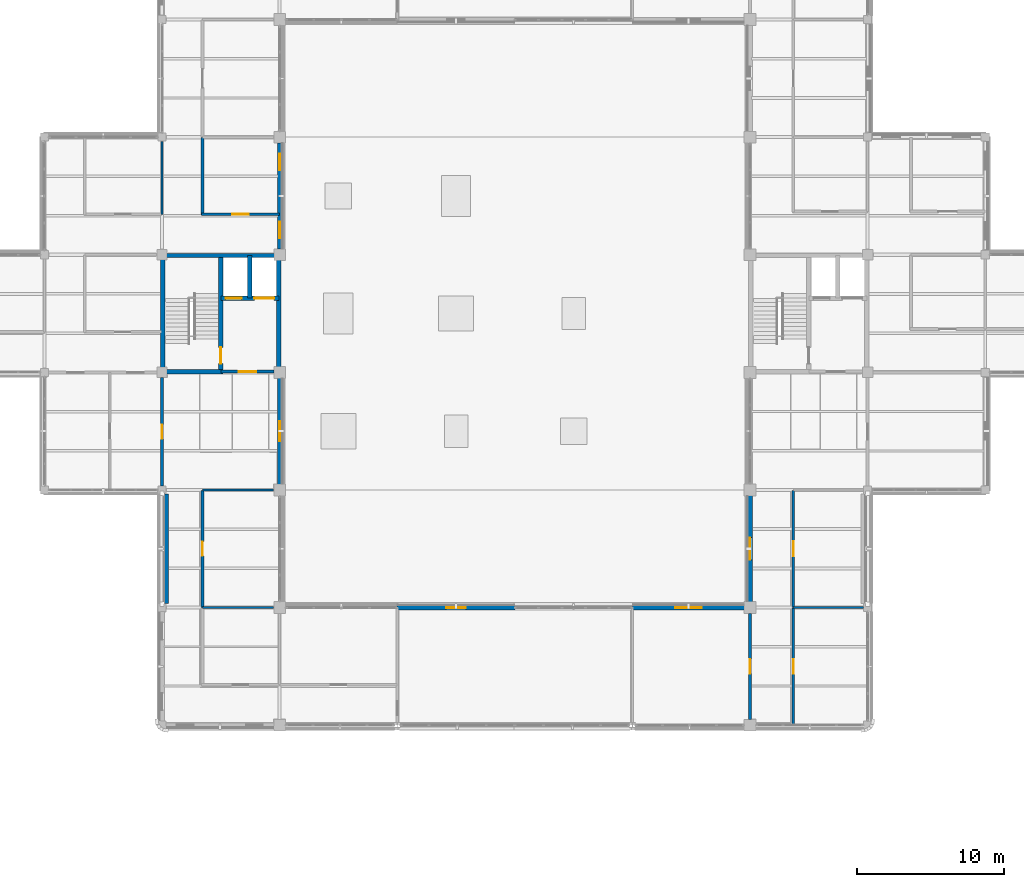
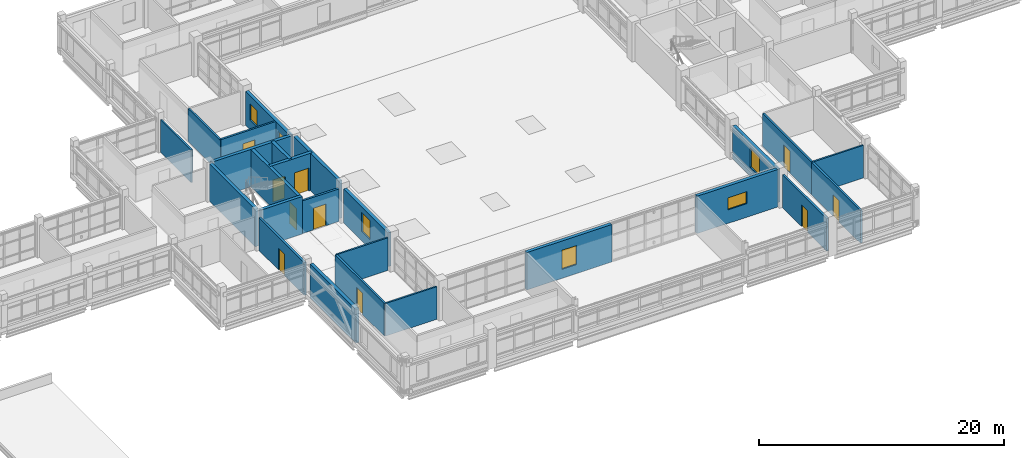
# One storey, part 76 of 107: 25 walls, 10 doors, 6 windows, 16 openings.
"""IFC4 building model written with IfcOpenShell, lengths in metres."""

from ifc_helpers import new_model, si_unit, derived_unit, direction, frame, frame_2d, origin, place, context, subcontext, project, spatial, rectangle, extrude, material, layer, layer_set, type_object, element, fill, save


model = new_model("IFC4")

# Units and contexts
model_context = context("Model", 3, precision=1e-05, world=origin(), true_north=direction((0.0, 1.0)))
body_context = subcontext(model_context, "Body", "Model", "MODEL_VIEW")
ifc_project = project(units=[si_unit("LENGTHUNIT", "METRE"), si_unit("AREAUNIT", "SQUARE_METRE"), si_unit("VOLUMEUNIT", "CUBIC_METRE"), si_unit("PLANEANGLEUNIT", "RADIAN"), si_unit("MASSUNIT", "GRAM", prefix="KILO"), derived_unit("THERMALTRANSMITTANCEUNIT", [(si_unit("MASSUNIT", "GRAM", prefix="KILO"), 1), (si_unit("TIMEUNIT", "SECOND"), -3), (si_unit("THERMODYNAMICTEMPERATUREUNIT", "KELVIN"), -1)])], contexts=[model_context])

# Site, building, storey
site_placement = place(None, origin())
site = spatial("IfcSite", under=ifc_project, at=site_placement, CompositionType="ELEMENT")
building_placement = place(site_placement, origin())
building = spatial("IfcBuilding", under=site, at=building_placement, Name="Veyamyaing Civic Hall", CompositionType="ELEMENT")
storey_placement = place(building_placement, frame((0.0, 0.0, 13.860107421875)))
storey = spatial("IfcBuildingStorey", under=building, at=storey_placement, Name="L03", CompositionType="ELEMENT", Elevation=13.860107421875)

# Wall
ifc_material_1 = material(Name="Precast concrete C40/50", Category="concrete")
ifc_layer_1 = layer(ifc_material_1, 0.304931640625, Name="Precast concrete C40/50")
ifc_layer_set_1 = layer_set([ifc_layer_1], Name="Precast concrete C40/50")
wall_type_1 = type_object("IfcWallType", Name="WT-03", PredefinedType="SOLIDWALL", material=ifc_layer_set_1)
wall_1_placement = place(storey_placement, frame((64.300048828125, 32.260009765625, 0.0), z_axis=(0.0, 0.0, 1.0), x_axis=(0.0, 1.0, 0.0)))
element("IfcWall", 1, at=wall_1_placement, inside=storey, type_object=wall_type_1, Name="Exterior facade wall WT-03 L03 W 9.5", PredefinedType="SOLIDWALL", context=body_context, shape_type="SweptSolid", body=[
    extrude(rectangle(XDim=7.47998046875, YDim=0.304931640625, at=frame_2d((3.739990234375, 0.0))), origin(), (0.0, 0.0, 1.0), 3.366943359375),
])

# Wall, opening, window
wall_2_placement = place(storey_placement, frame((72.0, 40.385009765625, 0.0), z_axis=(0.0, 0.0, 1.0), x_axis=(0.0, 1.0, 0.0)))
wall_2 = element("IfcWall", 2, at=wall_2_placement, inside=storey, type_object=wall_type_1, Name="Exterior facade wall WT-03 L03 E 9.6", PredefinedType="SOLIDWALL", context=body_context, shape_type="SweptSolid", body=[
    extrude(rectangle(XDim=7.22998046875, YDim=0.304931640625, at=frame_2d((3.614990234375, 0.0))), origin(), (0.0, 0.0, 1.0), 3.364013671875),
])
opening_1_placement = place(wall_2_placement, frame((2.93994140625, 0.0, 0.89990234375)))
opening_1 = element("IfcOpeningElement", 3, at=opening_1_placement, cuts=wall_2, Name="Opening W-13", PredefinedType="OPENING", context=body_context, shape_type="SweptSolid", body=[
    extrude(rectangle(XDim=1.35009765625, YDim=1.89990234375, at=frame_2d((0.675048828125, 0.949951171875))), frame((0.0, 0.162353515625, 0.0), z_axis=(0.0, -1.0, 0.0), x_axis=(1.0, 0.0, 0.0)), (0.0, 0.0, 1.0), 0.324951171875),
])
ifc_material_2 = material(Name="Low-E insulated glass", Category="glass")
window_type_1 = type_object("IfcWindowType", Name="W-13", PartitioningType="SINGLE_PANEL", PredefinedType="WINDOW", material=ifc_material_2)
window_1_placement = place(opening_1_placement, origin())
window_1 = element("IfcWindow", 4, at=window_1_placement, inside=storey, type_object=window_type_1, Name="Facade window W-13 L03 E 9.6", OverallHeight=1.89990234375, OverallWidth=1.35009765625, PartitioningType="SINGLE_PANEL", PredefinedType="WINDOW", context=body_context, shape_type="SweptSolid", body=[
    extrude(rectangle(XDim=1.35009765625, YDim=1.89990234375, at=frame_2d((0.675048828125, 0.949951171875))), frame((0.0, 0.030029296875, 0.0), z_axis=(0.0, -1.0, 0.0), x_axis=(1.0, 0.0, 0.0)), (0.0, 0.0, 1.0), 0.06005859375),
])
fill(opening_1, window_1)

# Wall, openings, windows
wall_3_placement = place(storey_placement, frame((72.0, 56.385009765625, 0.0), z_axis=(0.0, 0.0, 1.0), x_axis=(0.0, 1.0, 0.0)))
wall_3 = element("IfcWall", 5, at=wall_3_placement, inside=storey, type_object=wall_type_1, Name="Exterior facade wall WT-03 L03 E 9.8", PredefinedType="SOLIDWALL", context=body_context, shape_type="SweptSolid", body=[
    extrude(rectangle(XDim=7.22998046875, YDim=0.304931640625, at=frame_2d((3.614990234375, 0.0))), origin(), (0.0, 0.0, 1.0), 3.366943359375),
])
opening_2_placement = place(wall_3_placement, frame((0.726318359375, 0.0, 0.949951171875)))
opening_2 = element("IfcOpeningElement", 6, at=opening_2_placement, cuts=wall_3, Name="Opening W-32", PredefinedType="OPENING", context=body_context, shape_type="SweptSolid", body=[
    extrude(rectangle(XDim=1.14990234375, YDim=1.64990234375, at=frame_2d((0.574951171875, 0.824951171875))), frame((0.0, 0.162353515625, 0.0), z_axis=(0.0, -1.0, 0.0), x_axis=(1.0, 0.0, 0.0)), (0.0, 0.0, 1.0), 0.324951171875),
])
opening_3_placement = place(wall_3_placement, frame((5.353515625, 0.0, 0.949951171875)))
opening_3 = element("IfcOpeningElement", 7, at=opening_3_placement, cuts=wall_3, Name="Opening W-32", PredefinedType="OPENING", context=body_context, shape_type="SweptSolid", body=[
    extrude(rectangle(XDim=1.14990234375, YDim=1.64990234375, at=frame_2d((0.574951171875, 0.824951171875))), frame((0.0, 0.162353515625, 0.0), z_axis=(0.0, -1.0, 0.0), x_axis=(1.0, 0.0, 0.0)), (0.0, 0.0, 1.0), 0.324951171875),
])
window_type_2 = type_object("IfcWindowType", Name="W-32", PartitioningType="SINGLE_PANEL", PredefinedType="WINDOW", material=ifc_material_2)
window_2_placement = place(opening_2_placement, origin())
window_2 = element("IfcWindow", 8, at=window_2_placement, inside=storey, type_object=window_type_2, Name="Facade window W-32 L03 E 9.8.1", OverallHeight=1.64990234375, OverallWidth=1.14990234375, PartitioningType="SINGLE_PANEL", PredefinedType="WINDOW", context=body_context, shape_type="SweptSolid", body=[
    extrude(rectangle(XDim=1.14990234375, YDim=1.64990234375, at=frame_2d((0.574951171875, 0.824951171875))), frame((0.0, 0.030029296875, 0.0), z_axis=(0.0, -1.0, 0.0), x_axis=(1.0, 0.0, 0.0)), (0.0, 0.0, 1.0), 0.06005859375),
])
fill(opening_2, window_2)
window_3_placement = place(opening_3_placement, origin())
window_3 = element("IfcWindow", 9, at=window_3_placement, inside=storey, type_object=window_type_2, Name="Facade window W-32 L03 E 9.8.2", OverallHeight=1.64990234375, OverallWidth=1.14990234375, PartitioningType="SINGLE_PANEL", PredefinedType="WINDOW", context=body_context, shape_type="SweptSolid", body=[
    extrude(rectangle(XDim=1.14990234375, YDim=1.64990234375, at=frame_2d((0.574951171875, 0.824951171875))), frame((0.0, 0.030029296875, 0.0), z_axis=(0.0, -1.0, 0.0), x_axis=(1.0, 0.0, 0.0)), (0.0, 0.0, 1.0), 0.06005859375),
])
fill(opening_3, window_3)

# Wall, opening, window
wall_4_placement = place(storey_placement, frame((80.0, 32.0, 0.0), z_axis=(0.0, 0.0, 1.0), x_axis=(1.0, 0.0, 0.0)))
wall_4 = element("IfcWall", 10, at=wall_4_placement, inside=storey, type_object=wall_type_1, Name="Exterior facade wall WT-03 L03 N 11.4", PredefinedType="SOLIDWALL", context=body_context, shape_type="SweptSolid", body=[
    extrude(rectangle(XDim=8.0, YDim=0.304931640625, at=frame_2d((4.0, 0.0))), origin(), (0.0, 0.0, 1.0), 3.724853515625),
])
opening_4_placement = place(wall_4_placement, frame((3.324951171875, 0.0, 0.89990234375)))
opening_4 = element("IfcOpeningElement", 11, at=opening_4_placement, cuts=wall_4, Name="Opening W-13", PredefinedType="OPENING", context=body_context, shape_type="SweptSolid", body=[
    extrude(rectangle(XDim=1.35009765625, YDim=1.89990234375, at=frame_2d((0.675048828125, 0.949951171875))), frame((0.0, 0.162353515625, 0.0), z_axis=(0.0, -1.0, 0.0), x_axis=(1.0, 0.0, 0.0)), (0.0, 0.0, 1.0), 0.324951171875),
])
window_4_placement = place(opening_4_placement, origin())
window_4 = element("IfcWindow", 12, at=window_4_placement, inside=storey, type_object=window_type_1, Name="Facade window W-13 L03 N 11.4", OverallHeight=1.89990234375, OverallWidth=1.35009765625, PartitioningType="SINGLE_PANEL", PredefinedType="WINDOW", context=body_context, shape_type="SweptSolid", body=[
    extrude(rectangle(XDim=1.35009765625, YDim=1.89990234375, at=frame_2d((0.675048828125, 0.949951171875))), frame((0.0, 0.030029296875, 0.0), z_axis=(0.0, -1.0, 0.0), x_axis=(1.0, 0.0, 0.0)), (0.0, 0.0, 1.0), 0.06005859375),
])
fill(opening_4, window_4)

wall_5_placement = place(storey_placement, frame((96.0, 32.0, 0.0), z_axis=(0.0, 0.0, 1.0), x_axis=(1.0, 0.0, 0.0)))
wall_5 = element("IfcWall", 13, at=wall_5_placement, inside=storey, type_object=wall_type_1, Name="Exterior facade wall WT-03 L03 N 13.4", PredefinedType="SOLIDWALL", context=body_context, shape_type="SweptSolid", body=[
    extrude(rectangle(XDim=7.614990234375, YDim=0.304931640625, at=frame_2d((3.8076171875, 0.0))), origin(), (0.0, 0.0, 1.0), 3.724853515625),
])
opening_5_placement = place(wall_5_placement, frame((2.907470703125, 0.0, 1.35009765625)))
opening_5 = element("IfcOpeningElement", 14, at=opening_5_placement, cuts=wall_5, Name="Opening W-19", PredefinedType="OPENING", context=body_context, shape_type="SweptSolid", body=[
    extrude(rectangle(XDim=1.800048828125, YDim=1.199951171875, at=frame_2d((0.89990234375, 0.60009765625))), frame((0.0, 0.162353515625, 0.0), z_axis=(0.0, -1.0, 0.0), x_axis=(1.0, 0.0, 0.0)), (0.0, 0.0, 1.0), 0.324951171875),
])
window_type_3 = type_object("IfcWindowType", Name="W-19", PartitioningType="SINGLE_PANEL", PredefinedType="WINDOW", material=ifc_material_2)
window_5_placement = place(opening_5_placement, origin())
window_5 = element("IfcWindow", 15, at=window_5_placement, inside=storey, type_object=window_type_3, Name="Facade window W-19 L03 N 13.4", OverallHeight=1.199951171875, OverallWidth=1.800048828125, PartitioningType="SINGLE_PANEL", PredefinedType="WINDOW", context=body_context, shape_type="SweptSolid", body=[
    extrude(rectangle(XDim=1.800048828125, YDim=1.199951171875, at=frame_2d((0.89990234375, 0.60009765625))), frame((0.0, 0.030029296875, 0.0), z_axis=(0.0, -1.0, 0.0), x_axis=(1.0, 0.0, 0.0)), (0.0, 0.0, 1.0), 0.06005859375),
])
fill(opening_5, window_5)

wall_6_placement = place(storey_placement, frame((104.0, 32.385009765625, 0.0), z_axis=(0.0, 0.0, 1.0), x_axis=(0.0, 1.0, 0.0)))
wall_6 = element("IfcWall", 16, at=wall_6_placement, inside=storey, type_object=wall_type_1, Name="Exterior facade wall WT-03 L03 W 14.5", PredefinedType="SOLIDWALL", context=body_context, shape_type="SweptSolid", body=[
    extrude(rectangle(XDim=7.22998046875, YDim=0.304931640625, at=frame_2d((3.614990234375, 0.0))), origin(), (0.0, 0.0, 1.0), 3.2998046875),
])
opening_6_placement = place(wall_6_placement, frame((2.864990234375, 0.0, 0.89990234375)))
opening_6 = element("IfcOpeningElement", 17, at=opening_6_placement, cuts=wall_6, Name="Opening W-12", PredefinedType="OPENING", context=body_context, shape_type="SweptSolid", body=[
    extrude(rectangle(XDim=1.5, YDim=1.89990234375, at=frame_2d((0.75, 0.949951171875))), frame((0.0, 0.162353515625, 0.0), z_axis=(0.0, -1.0, 0.0), x_axis=(1.0, 0.0, 0.0)), (0.0, 0.0, 1.0), 0.324951171875),
])
window_type_4 = type_object("IfcWindowType", Name="W-12", PartitioningType="SINGLE_PANEL", PredefinedType="WINDOW", material=ifc_material_2)
window_6_placement = place(opening_6_placement, origin())
window_6 = element("IfcWindow", 18, at=window_6_placement, inside=storey, type_object=window_type_4, Name="Facade window W-12 L03 W 14.5", OverallHeight=1.89990234375, OverallWidth=1.5, PartitioningType="SINGLE_PANEL", PredefinedType="WINDOW", context=body_context, shape_type="SweptSolid", body=[
    extrude(rectangle(XDim=1.5, YDim=1.89990234375, at=frame_2d((0.75, 0.949951171875))), frame((0.0, 0.030029296875, 0.0), z_axis=(0.0, -1.0, 0.0), x_axis=(1.0, 0.0, 0.0)), (0.0, 0.0, 1.0), 0.06005859375),
])
fill(opening_6, window_6)

# Walls
ifc_material_3 = material(Name="Concrete C40/50", Category="concrete")
ifc_layer_2 = layer(ifc_material_3, 0.300048828125, Name="Concrete C40/50")
ifc_layer_set_2 = layer_set([ifc_layer_2], Name="Concrete C40/50")
wall_type_2 = type_object("IfcWallType", Name="WT-05", PredefinedType="SHEAR", material=ifc_layer_set_2)
wall_7_placement = place(storey_placement, frame((64.050048828125, 48.239990234375, 0.0), z_axis=(0.0, 0.0, 1.0), x_axis=(0.0, 1.0, 0.0)))
element("IfcWall", 19, at=wall_7_placement, inside=storey, type_object=wall_type_2, Name="Core shear wall WT-05 CORE-5 L03.W", PredefinedType="SHEAR", context=body_context, shape_type="SweptSolid", body=[
    extrude(rectangle(XDim=7.52001953125, YDim=0.300048828125, at=frame_2d((3.760009765625, 0.0))), origin(), (0.0, 0.0, 1.0), 3.724853515625),
])
wall_8_placement = place(storey_placement, frame((64.239990234375, 55.949951171875, 0.0), z_axis=(0.0, 0.0, 1.0), x_axis=(1.0, 0.0, 0.0)))
element("IfcWall", 20, at=wall_8_placement, inside=storey, type_object=wall_type_2, Name="Core shear wall WT-05 CORE-5 L03.N", PredefinedType="SHEAR", context=body_context, shape_type="SweptSolid", body=[
    extrude(rectangle(XDim=7.469970703125, YDim=0.300048828125, at=frame_2d((3.73486328125, 0.0))), origin(), (0.0, 0.0, 1.0), 3.724853515625),
])
wall_9_placement = place(storey_placement, frame((71.949951171875, 48.2900390625, 0.0), z_axis=(0.0, 0.0, 1.0), x_axis=(0.0, 1.0, 0.0)))
element("IfcWall", 21, at=wall_9_placement, inside=storey, type_object=wall_type_2, Name="Core shear wall WT-05 CORE-5 L03.E", PredefinedType="SHEAR", context=body_context, shape_type="SweptSolid", body=[
    extrude(rectangle(XDim=7.419921875, YDim=0.300048828125, at=frame_2d((3.7099609375, 0.0))), origin(), (0.0, 0.0, 1.0), 3.724853515625),
])
wall_10_placement = place(storey_placement, frame((64.239990234375, 48.050048828125, 0.0), z_axis=(0.0, 0.0, 1.0), x_axis=(1.0, 0.0, 0.0)))
element("IfcWall", 22, at=wall_10_placement, inside=storey, type_object=wall_type_2, Name="Core shear wall WT-05 CORE-5 L03.SS", PredefinedType="SHEAR", context=body_context, shape_type="SweptSolid", body=[
    extrude(rectangle(XDim=3.909912109375, YDim=0.300048828125, at=frame_2d((1.955078125, 0.0))), origin(), (0.0, 0.0, 1.0), 3.724853515625),
])

# Wall, opening, door
wall_11_placement = place(storey_placement, frame((68.0, 48.050048828125, 0.0), z_axis=(0.0, 0.0, 1.0), x_axis=(0.0, 1.0, 0.0)))
wall_11 = element("IfcWall", 23, at=wall_11_placement, inside=storey, type_object=wall_type_2, Name="Core shear wall WT-05 CORE-5 L03.MID", PredefinedType="SHEAR", context=body_context, shape_type="SweptSolid", body=[
    extrude(rectangle(XDim=7.89990234375, YDim=0.300048828125, at=frame_2d((3.949951171875, 0.0))), origin(), (0.0, 0.0, 1.0), 3.724853515625),
])
opening_7_placement = place(wall_11_placement, frame((0.550048828125, 0.0, 0.0)))
opening_7 = element("IfcOpeningElement", 24, at=opening_7_placement, cuts=wall_11, Name="Opening D-03", PredefinedType="OPENING", context=body_context, shape_type="SweptSolid", body=[
    extrude(rectangle(XDim=1.10009765625, YDim=2.14990234375, at=frame_2d((0.550048828125, 1.074951171875))), frame((0.0, 0.159912109375, 0.0), z_axis=(0.0, -1.0, 0.0), x_axis=(1.0, 0.0, 0.0)), (0.0, 0.0, 1.0), 0.320068359375),
])
ifc_material_4 = material(Name="Galvanized steel S355J2", Category="steel")
door_type_1 = type_object("IfcDoorType", Name="D-03", OperationType="NOTDEFINED", PredefinedType="DOOR", material=ifc_material_4)
door_1_placement = place(opening_7_placement, origin())
door_1 = element("IfcDoor", 25, at=door_1_placement, inside=storey, type_object=door_type_1, Name="Exit stair fire door D-03 ST-05 L03", OperationType="SINGLE_SWING_LEFT", OverallHeight=2.14990234375, OverallWidth=1.10009765625, PredefinedType="DOOR", context=body_context, shape_type="SweptSolid", body=[
    extrude(rectangle(XDim=1.10009765625, YDim=2.14990234375, at=frame_2d((0.550048828125, 1.074951171875))), frame((0.0, 0.02490234375, 0.0), z_axis=(0.0, -1.0, 0.0), x_axis=(1.0, 0.0, 0.0)), (0.0, 0.0, 1.0), 0.050048828125),
])
fill(opening_7, door_1)

# Wall, openings, doors
wall_12_placement = place(storey_placement, frame((68.0, 53.050048828125, 0.0), z_axis=(0.0, 0.0, 1.0), x_axis=(1.0, 0.0, 0.0)))
wall_12 = element("IfcWall", 26, at=wall_12_placement, inside=storey, type_object=wall_type_2, Name="Core shear wall WT-05 CORE-5 L03.LFT", PredefinedType="SHEAR", context=body_context, shape_type="SweptSolid", body=[
    extrude(rectangle(XDim=3.949951171875, YDim=0.300048828125, at=frame_2d((1.97509765625, 0.0))), origin(), (0.0, 0.0, 1.0), 3.724853515625),
])
opening_8_placement = place(wall_12_placement, frame((0.320068359375, 0.0, 0.0)))
opening_8 = element("IfcOpeningElement", 27, at=opening_8_placement, cuts=wall_12, Name="Opening LD-01", PredefinedType="OPENING", context=body_context, shape_type="SweptSolid", body=[
    extrude(rectangle(XDim=1.10009765625, YDim=2.199951171875, at=frame_2d((0.550048828125, 1.10009765625))), frame((0.0, 0.159912109375, 0.0), z_axis=(0.0, -1.0, 0.0), x_axis=(1.0, 0.0, 0.0)), (0.0, 0.0, 1.0), 0.320068359375),
])
opening_9_placement = place(wall_12_placement, frame((2.280029296875, 0.0, 0.0)))
opening_9 = element("IfcOpeningElement", 28, at=opening_9_placement, cuts=wall_12, Name="Opening LD-03", PredefinedType="OPENING", context=body_context, shape_type="SweptSolid", body=[
    extrude(rectangle(XDim=1.35009765625, YDim=2.300048828125, at=frame_2d((0.675048828125, 1.14990234375))), frame((0.0, 0.159912109375, 0.0), z_axis=(0.0, -1.0, 0.0), x_axis=(1.0, 0.0, 0.0)), (0.0, 0.0, 1.0), 0.320068359375),
])
ifc_material_5 = material(Name="Anodised aluminium 6063-T6", Category="aluminium")
door_type_2 = type_object("IfcDoorType", Name="LD-01", OperationType="SLIDING_TO_LEFT", PredefinedType="DOOR", material=ifc_material_5)
door_2_placement = place(opening_8_placement, origin())
door_2 = element("IfcDoor", 29, at=door_2_placement, inside=storey, type_object=door_type_2, Name="Lift sliding landing door LD-01 PL-03 L03", OperationType="SLIDING_TO_LEFT", OverallHeight=2.199951171875, OverallWidth=1.10009765625, PredefinedType="DOOR", context=body_context, shape_type="SweptSolid", body=[
    extrude(rectangle(XDim=1.10009765625, YDim=2.199951171875, at=frame_2d((0.550048828125, 1.10009765625))), frame((0.0, 0.02490234375, 0.0), z_axis=(0.0, -1.0, 0.0), x_axis=(1.0, 0.0, 0.0)), (0.0, 0.0, 1.0), 0.050048828125),
])
fill(opening_8, door_2)
door_type_3 = type_object("IfcDoorType", Name="LD-03", OperationType="DOUBLE_DOOR_SLIDING", PredefinedType="DOOR", material=ifc_material_4)
door_3_placement = place(opening_9_placement, origin())
door_3 = element("IfcDoor", 30, at=door_3_placement, inside=storey, type_object=door_type_3, Name="Lift sliding landing door LD-03 GL-01 L03", OperationType="DOUBLE_DOOR_SLIDING", OverallHeight=2.300048828125, OverallWidth=1.35009765625, PredefinedType="DOOR", context=body_context, shape_type="SweptSolid", body=[
    extrude(rectangle(XDim=1.35009765625, YDim=2.300048828125, at=frame_2d((0.675048828125, 1.14990234375))), frame((0.0, 0.02490234375, 0.0), z_axis=(0.0, -1.0, 0.0), x_axis=(1.0, 0.0, 0.0)), (0.0, 0.0, 1.0), 0.050048828125),
])
fill(opening_9, door_3)

# Wall
wall_13_placement = place(storey_placement, frame((69.97998046875, 53.050048828125, 0.0), z_axis=(0.0, 0.0, 1.0), x_axis=(0.0, 1.0, 0.0)))
element("IfcWall", 31, at=wall_13_placement, inside=storey, type_object=wall_type_2, Name="Core shear wall WT-05 CORE-5 L03.LDIV", PredefinedType="SHEAR", context=body_context, shape_type="SweptSolid", body=[
    extrude(rectangle(XDim=2.89990234375, YDim=0.300048828125, at=frame_2d((1.449951171875, 0.0))), origin(), (0.0, 0.0, 1.0), 3.724853515625),
])

# Wall, opening, door
ifc_layer_3 = layer(ifc_material_3, 0.199951171875, Name="Concrete C40/50")
ifc_layer_set_3 = layer_set([ifc_layer_3], Name="Concrete C40/50")
wall_type_3 = type_object("IfcWallType", Name="WT-06", PredefinedType="PARTITIONING", material=ifc_layer_set_3)
wall_14_placement = place(storey_placement, frame((68.0, 48.050048828125, 0.0), z_axis=(0.0, 0.0, 1.0), x_axis=(1.0, 0.0, 0.0)))
wall_14 = element("IfcWall", 32, at=wall_14_placement, inside=storey, type_object=wall_type_3, Name="Firefighting lift lobby wall WT-06 CORE-5 L03", PredefinedType="PARTITIONING", context=body_context, shape_type="SweptSolid", body=[
    extrude(rectangle(XDim=3.610107421875, YDim=0.199951171875, at=frame_2d((1.80517578125, 0.0))), origin(), (0.0, 0.0, 1.0), 3.240966796875),
])
opening_10_placement = place(wall_14_placement, frame((1.205078125, 0.0, 0.0)))
opening_10 = element("IfcOpeningElement", 33, at=opening_10_placement, cuts=wall_14, Name="Opening D-04", PredefinedType="OPENING", context=body_context, shape_type="SweptSolid", body=[
    extrude(rectangle(XDim=1.199951171875, YDim=2.14990234375, at=frame_2d((0.60009765625, 1.074951171875))), frame((0.0, 0.10986328125, 0.0), z_axis=(0.0, -1.0, 0.0), x_axis=(1.0, 0.0, 0.0)), (0.0, 0.0, 1.0), 0.219970703125),
])
door_type_4 = type_object("IfcDoorType", Name="D-04", OperationType="NOTDEFINED", PredefinedType="DOOR", material=ifc_material_4)
door_4_placement = place(opening_10_placement, frame((1.199951171875, 0.0, 0.0), z_axis=(0.0, 0.0, 1.0), x_axis=(-1.0, 0.0, 0.0)))
door_4 = element("IfcDoor", 34, at=door_4_placement, inside=storey, type_object=door_type_4, Name="Protected lobby fire door D-04 CORE-5 L03", OperationType="SINGLE_SWING_RIGHT", OverallHeight=2.14990234375, OverallWidth=1.199951171875, PredefinedType="DOOR", context=body_context, shape_type="SweptSolid", body=[
    extrude(rectangle(XDim=1.199951171875, YDim=2.14990234375, at=frame_2d((0.60009765625, 1.074951171875))), frame((0.0, 0.02490234375, 0.0), z_axis=(0.0, -1.0, 0.0), x_axis=(1.0, 0.0, 0.0)), (0.0, 0.0, 1.0), 0.050048828125),
])
fill(opening_10, door_4)

wall_15_placement = place(storey_placement, frame((64.0, 40.264892578125, 0.0), z_axis=(0.0, 0.0, 1.0), x_axis=(0.0, 1.0, 0.0)))
wall_15 = element("IfcWall", 35, at=wall_15_placement, inside=storey, type_object=wall_type_3, Name="Interior partition wall WT-06 L03.12", PredefinedType="PARTITIONING", context=body_context, shape_type="SweptSolid", body=[
    extrude(rectangle(XDim=7.39501953125, YDim=0.199951171875, at=frame_2d((3.697509765625, 0.0))), origin(), (0.0, 0.0, 1.0), 3.2529296875),
])
opening_11_placement = place(wall_15_placement, frame((3.217529296875, 0.0, 0.0)))
opening_11 = element("IfcOpeningElement", 36, at=opening_11_placement, cuts=wall_15, Name="Opening D-25", PredefinedType="OPENING", context=body_context, shape_type="SweptSolid", body=[
    extrude(rectangle(XDim=0.9599609375, YDim=2.139892578125, at=frame_2d((0.47998046875, 1.06982421875))), frame((0.0, 0.10986328125, 0.0), z_axis=(0.0, -1.0, 0.0), x_axis=(1.0, 0.0, 0.0)), (0.0, 0.0, 1.0), 0.219970703125),
])
ifc_material_6 = material(Name="Teak-veneered acoustic timber", Category="wood")
door_type_5 = type_object("IfcDoorType", Name="D-25", OperationType="NOTDEFINED", PredefinedType="DOOR", material=ifc_material_6)
door_5_placement = place(opening_11_placement, origin())
door_5 = element("IfcDoor", 37, at=door_5_placement, inside=storey, type_object=door_type_5, Name="Interior door D-25 L03.12", OperationType="SINGLE_SWING_RIGHT", OverallHeight=2.139892578125, OverallWidth=0.9599609375, PredefinedType="DOOR", context=body_context, shape_type="SweptSolid", body=[
    extrude(rectangle(XDim=0.9599609375, YDim=2.139892578125, at=frame_2d((0.47998046875, 1.06982421875))), frame((0.0, 0.02490234375, 0.0), z_axis=(0.0, -1.0, 0.0), x_axis=(1.0, 0.0, 0.0)), (0.0, 0.0, 1.0), 0.050048828125),
])
fill(opening_11, door_5)

wall_16_placement = place(storey_placement, frame((104.0, 24.389892578125, 0.0), z_axis=(0.0, 0.0, 1.0), x_axis=(0.0, 1.0, 0.0)))
wall_16 = element("IfcWall", 38, at=wall_16_placement, inside=storey, type_object=wall_type_3, Name="Interior partition wall WT-06 L03.18", PredefinedType="PARTITIONING", context=body_context, shape_type="SweptSolid", body=[
    extrude(rectangle(XDim=7.22021484375, YDim=0.199951171875, at=frame_2d((3.610107421875, 0.0))), origin(), (0.0, 0.0, 1.0), 3.247802734375),
])
opening_12_placement = place(wall_16_placement, frame((3.1201171875, 0.0, 0.0)))
opening_12 = element("IfcOpeningElement", 39, at=opening_12_placement, cuts=wall_16, Name="Opening D-14", PredefinedType="OPENING", context=body_context, shape_type="SweptSolid", body=[
    extrude(rectangle(XDim=0.97998046875, YDim=2.14990234375, at=frame_2d((0.489990234375, 1.074951171875))), frame((0.0, 0.10986328125, 0.0), z_axis=(0.0, -1.0, 0.0), x_axis=(1.0, 0.0, 0.0)), (0.0, 0.0, 1.0), 0.219970703125),
])
door_type_6 = type_object("IfcDoorType", Name="D-14", OperationType="NOTDEFINED", PredefinedType="DOOR", material=ifc_material_6)
door_6_placement = place(opening_12_placement, origin())
door_6 = element("IfcDoor", 40, at=door_6_placement, inside=storey, type_object=door_type_6, Name="Interior door D-14 L03.18", OperationType="SINGLE_SWING_LEFT", OverallHeight=2.14990234375, OverallWidth=0.97998046875, PredefinedType="DOOR", context=body_context, shape_type="SweptSolid", body=[
    extrude(rectangle(XDim=0.97998046875, YDim=2.14990234375, at=frame_2d((0.489990234375, 1.074951171875))), frame((0.0, 0.02490234375, 0.0), z_axis=(0.0, -1.0, 0.0), x_axis=(1.0, 0.0, 0.0)), (0.0, 0.0, 1.0), 0.050048828125),
])
fill(opening_12, door_6)

ifc_material_7 = material(Name="Gypsum board on acoustic steel stud", Category="steel")
ifc_layer_4 = layer(ifc_material_7, 0.175048828125, Name="Gypsum board on acoustic steel stud")
ifc_layer_set_4 = layer_set([ifc_layer_4], Name="Gypsum board on acoustic steel stud")
wall_type_4 = type_object("IfcWallType", Name="WT-07", PredefinedType="PARTITIONING", material=ifc_layer_set_4)
wall_17_placement = place(storey_placement, frame((66.699951171875, 58.75, 0.0), z_axis=(0.0, 0.0, 1.0), x_axis=(1.0, 0.0, 0.0)))
wall_17 = element("IfcWall", 41, at=wall_17_placement, inside=storey, type_object=wall_type_4, Name="Corridor gallery partition WT-07 L03.23.1", PredefinedType="PARTITIONING", context=body_context, shape_type="SweptSolid", body=[
    extrude(rectangle(XDim=5.280029296875, YDim=0.175048828125, at=frame_2d((2.64013671875, 0.0))), origin(), (0.0, 0.0, 1.0), 3.35986328125),
])
opening_13_placement = place(wall_17_placement, frame((2.080078125, 0.0, 0.0)))
opening_13 = element("IfcOpeningElement", 42, at=opening_13_placement, cuts=wall_17, Name="Opening D-26", PredefinedType="OPENING", context=body_context, shape_type="SweptSolid", body=[
    extrude(rectangle(XDim=1.1201171875, YDim=2.219970703125, at=frame_2d((0.56005859375, 1.10986328125))), frame((0.0, 0.097412109375, 0.0), z_axis=(0.0, -1.0, 0.0), x_axis=(1.0, 0.0, 0.0)), (0.0, 0.0, 1.0), 0.195068359375),
])
door_type_7 = type_object("IfcDoorType", Name="D-26", OperationType="NOTDEFINED", PredefinedType="DOOR", material=ifc_material_6)
door_7_placement = place(opening_13_placement, origin())
door_7 = element("IfcDoor", 43, at=door_7_placement, inside=storey, type_object=door_type_7, Name="Gallery office door D-26 L03.23", OperationType="SINGLE_SWING_LEFT", OverallHeight=2.219970703125, OverallWidth=1.1201171875, PredefinedType="DOOR", context=body_context, shape_type="SweptSolid", body=[
    extrude(rectangle(XDim=1.1201171875, YDim=2.219970703125, at=frame_2d((0.56005859375, 1.10986328125))), frame((0.0, 0.02490234375, 0.0), z_axis=(0.0, -1.0, 0.0), x_axis=(1.0, 0.0, 0.0)), (0.0, 0.0, 1.0), 0.050048828125),
])
fill(opening_13, door_7)

# Wall
wall_18_placement = place(storey_placement, frame((66.75, 58.699951171875, 0.0), z_axis=(0.0, 0.0, 1.0), x_axis=(0.0, 1.0, 0.0)))
element("IfcWall", 44, at=wall_18_placement, inside=storey, type_object=wall_type_4, Name="Corridor gallery partition WT-07 L03.23.2", PredefinedType="PARTITIONING", context=body_context, shape_type="SweptSolid", body=[
    extrude(rectangle(XDim=5.280029296875, YDim=0.175048828125, at=frame_2d((2.64013671875, 0.0))), origin(), (0.0, 0.0, 1.0), 3.246826171875),
])

# Wall, opening, door
wall_19_placement = place(storey_placement, frame((106.949951171875, 32.02001953125, 0.0), z_axis=(0.0, 0.0, 1.0), x_axis=(0.0, 1.0, 0.0)))
wall_19 = element("IfcWall", 45, at=wall_19_placement, inside=storey, type_object=wall_type_4, Name="Corridor gallery partition WT-07 L03.29.1", PredefinedType="PARTITIONING", context=body_context, shape_type="SweptSolid", body=[
    extrude(rectangle(XDim=7.9599609375, YDim=0.175048828125, at=frame_2d((3.97998046875, 0.0))), origin(), (0.0, 0.0, 1.0), 3.240966796875),
])
opening_14_placement = place(wall_19_placement, frame((3.469970703125, 0.0, 0.0)))
opening_14 = element("IfcOpeningElement", 46, at=opening_14_placement, cuts=wall_19, Name="Opening D-19", PredefinedType="OPENING", context=body_context, shape_type="SweptSolid", body=[
    extrude(rectangle(XDim=1.02001953125, YDim=2.199951171875, at=frame_2d((0.510009765625, 1.10009765625))), frame((0.0, 0.097412109375, 0.0), z_axis=(0.0, -1.0, 0.0), x_axis=(1.0, 0.0, 0.0)), (0.0, 0.0, 1.0), 0.195068359375),
])
door_type_8 = type_object("IfcDoorType", Name="D-19", OperationType="NOTDEFINED", PredefinedType="DOOR", material=ifc_material_6)
door_8_placement = place(opening_14_placement, frame((1.02001953125, 0.0, 0.0), z_axis=(0.0, 0.0, 1.0), x_axis=(-1.0, 0.0, 0.0)))
door_8 = element("IfcDoor", 47, at=door_8_placement, inside=storey, type_object=door_type_8, Name="Gallery office door D-19 L03.29", OperationType="SINGLE_SWING_LEFT", OverallHeight=2.199951171875, OverallWidth=1.02001953125, PredefinedType="DOOR", context=body_context, shape_type="SweptSolid", body=[
    extrude(rectangle(XDim=1.02001953125, YDim=2.199951171875, at=frame_2d((0.510009765625, 1.10009765625))), frame((0.0, 0.02490234375, 0.0), z_axis=(0.0, -1.0, 0.0), x_axis=(1.0, 0.0, 0.0)), (0.0, 0.0, 1.0), 0.050048828125),
])
fill(opening_14, door_8)

# Walls
ifc_material_8 = material(Name="Gypsum board on steel stud", Category="steel")
ifc_layer_5 = layer(ifc_material_8, 0.14990234375, Name="Gypsum board on steel stud")
ifc_layer_set_5 = layer_set([ifc_layer_5], Name="Gypsum board on steel stud")
wall_type_5 = type_object("IfcWallType", Name="WT-08", PredefinedType="PARTITIONING", material=ifc_layer_set_5)
wall_20_placement = place(storey_placement, frame((64.0, 58.75, 0.0), z_axis=(0.0, 0.0, 1.0), x_axis=(0.0, 1.0, 0.0)))
element("IfcWall", 48, at=wall_20_placement, inside=storey, type_object=wall_type_5, Name="Gallery office end partition WT-08 L03.20.2", PredefinedType="PARTITIONING", context=body_context, shape_type="SweptSolid", body=[
    extrude(rectangle(XDim=4.965087890625, YDim=0.14990234375, at=frame_2d((2.482421875, 0.0))), origin(), (0.0, 0.0, 1.0), 3.246826171875),
])
wall_21_placement = place(storey_placement, frame((66.75, 32.0, 0.0), z_axis=(0.0, 0.0, 1.0), x_axis=(1.0, 0.0, 0.0)))
element("IfcWall", 49, at=wall_21_placement, inside=storey, type_object=wall_type_5, Name="Gallery office end partition WT-08 L03.21.1", PredefinedType="PARTITIONING", context=body_context, shape_type="SweptSolid", body=[
    extrude(rectangle(XDim=4.840087890625, YDim=0.14990234375, at=frame_2d((2.419921875, 0.0))), origin(), (0.0, 0.0, 1.0), 3.246826171875),
])
wall_22_placement = place(storey_placement, frame((66.75, 40.0, 0.0), z_axis=(0.0, 0.0, 1.0), x_axis=(1.0, 0.0, 0.0)))
element("IfcWall", 50, at=wall_22_placement, inside=storey, type_object=wall_type_5, Name="Gallery office end partition WT-08 L03.22.2", PredefinedType="PARTITIONING", context=body_context, shape_type="SweptSolid", body=[
    extrude(rectangle(XDim=4.840087890625, YDim=0.14990234375, at=frame_2d((2.419921875, 0.0))), origin(), (0.0, 0.0, 1.0), 3.2529296875),
])
wall_23_placement = place(storey_placement, frame((106.949951171875, 32.0, 0.0), z_axis=(0.0, 0.0, 1.0), x_axis=(1.0, 0.0, 0.0)))
element("IfcWall", 51, at=wall_23_placement, inside=storey, type_object=wall_type_5, Name="Gallery office end partition WT-08 L03.28.2", PredefinedType="PARTITIONING", context=body_context, shape_type="SweptSolid", body=[
    extrude(rectangle(XDim=4.76513671875, YDim=0.14990234375, at=frame_2d((2.382568359375, 0.0))), origin(), (0.0, 0.0, 1.0), 3.2529296875),
])

# Wall, opening, door
ifc_material_9 = material(Name="Gypsum board on double acoustic stud")
ifc_layer_6 = layer(ifc_material_9, 0.18505859375, Name="Gypsum board on double acoustic stud")
ifc_layer_set_6 = layer_set([ifc_layer_6], Name="Gypsum board on double acoustic stud")
wall_type_6 = type_object("IfcWallType", Name="WT-19", PredefinedType="PARTITIONING", material=ifc_layer_set_6)
wall_24_placement = place(storey_placement, frame((66.75, 32.02001953125, 0.0), z_axis=(0.0, 0.0, 1.0), x_axis=(0.0, 1.0, 0.0)))
wall_24 = element("IfcWall", 52, at=wall_24_placement, inside=storey, type_object=wall_type_6, Name="Corridor gallery partition WT-19 L03.22.1", PredefinedType="PARTITIONING", context=body_context, shape_type="SweptSolid", body=[
    extrude(rectangle(XDim=7.9599609375, YDim=0.18505859375, at=frame_2d((3.97998046875, 0.0))), origin(), (0.0, 0.0, 1.0), 3.246826171875),
])
opening_15_placement = place(wall_24_placement, frame((3.5, 0.0, 0.0)))
opening_15 = element("IfcOpeningElement", 53, at=opening_15_placement, cuts=wall_24, Name="Opening D-25", PredefinedType="OPENING", context=body_context, shape_type="SweptSolid", body=[
    extrude(rectangle(XDim=0.9599609375, YDim=2.139892578125, at=frame_2d((0.47998046875, 1.06982421875))), frame((0.0, 0.1025390625, 0.0), z_axis=(0.0, -1.0, 0.0), x_axis=(1.0, 0.0, 0.0)), (0.0, 0.0, 1.0), 0.205078125),
])
door_9_placement = place(opening_15_placement, frame((0.9599609375, 0.0, 0.0), z_axis=(0.0, 0.0, 1.0), x_axis=(-1.0, 0.0, 0.0)))
door_9 = element("IfcDoor", 54, at=door_9_placement, inside=storey, type_object=door_type_5, Name="Gallery office door D-25 L03.22", OperationType="SINGLE_SWING_RIGHT", OverallHeight=2.139892578125, OverallWidth=0.9599609375, PredefinedType="DOOR", context=body_context, shape_type="SweptSolid", body=[
    extrude(rectangle(XDim=0.9599609375, YDim=2.139892578125, at=frame_2d((0.47998046875, 1.06982421875))), frame((0.0, 0.02490234375, 0.0), z_axis=(0.0, -1.0, 0.0), x_axis=(1.0, 0.0, 0.0)), (0.0, 0.0, 1.0), 0.050048828125),
])
fill(opening_15, door_9)

wall_25_placement = place(storey_placement, frame((106.949951171875, 24.02001953125, 0.0), z_axis=(0.0, 0.0, 1.0), x_axis=(0.0, 1.0, 0.0)))
wall_25 = element("IfcWall", 55, at=wall_25_placement, inside=storey, type_object=wall_type_6, Name="Corridor gallery partition WT-19 L03.28.1", PredefinedType="PARTITIONING", context=body_context, shape_type="SweptSolid", body=[
    extrude(rectangle(XDim=7.9599609375, YDim=0.18505859375, at=frame_2d((3.97998046875, 0.0))), origin(), (0.0, 0.0, 1.0), 3.2529296875),
])
opening_16_placement = place(wall_25_placement, frame((3.489990234375, 0.0, 0.0)))
opening_16 = element("IfcOpeningElement", 56, at=opening_16_placement, cuts=wall_25, Name="Opening D-14", PredefinedType="OPENING", context=body_context, shape_type="SweptSolid", body=[
    extrude(rectangle(XDim=0.97998046875, YDim=2.14990234375, at=frame_2d((0.489990234375, 1.074951171875))), frame((0.0, 0.1025390625, 0.0), z_axis=(0.0, -1.0, 0.0), x_axis=(1.0, 0.0, 0.0)), (0.0, 0.0, 1.0), 0.205078125),
])
door_10_placement = place(opening_16_placement, frame((0.97998046875, 0.0, 0.0), z_axis=(0.0, 0.0, 1.0), x_axis=(-1.0, 0.0, 0.0)))
door_10 = element("IfcDoor", 57, at=door_10_placement, inside=storey, type_object=door_type_6, Name="Gallery office door D-14 L03.28", OperationType="SINGLE_SWING_RIGHT", OverallHeight=2.14990234375, OverallWidth=0.97998046875, PredefinedType="DOOR", context=body_context, shape_type="SweptSolid", body=[
    extrude(rectangle(XDim=0.97998046875, YDim=2.14990234375, at=frame_2d((0.489990234375, 1.074951171875))), frame((0.0, 0.02490234375, 0.0), z_axis=(0.0, -1.0, 0.0), x_axis=(1.0, 0.0, 0.0)), (0.0, 0.0, 1.0), 0.050048828125),
])
fill(opening_16, door_10)

save(model, "model.ifc")
